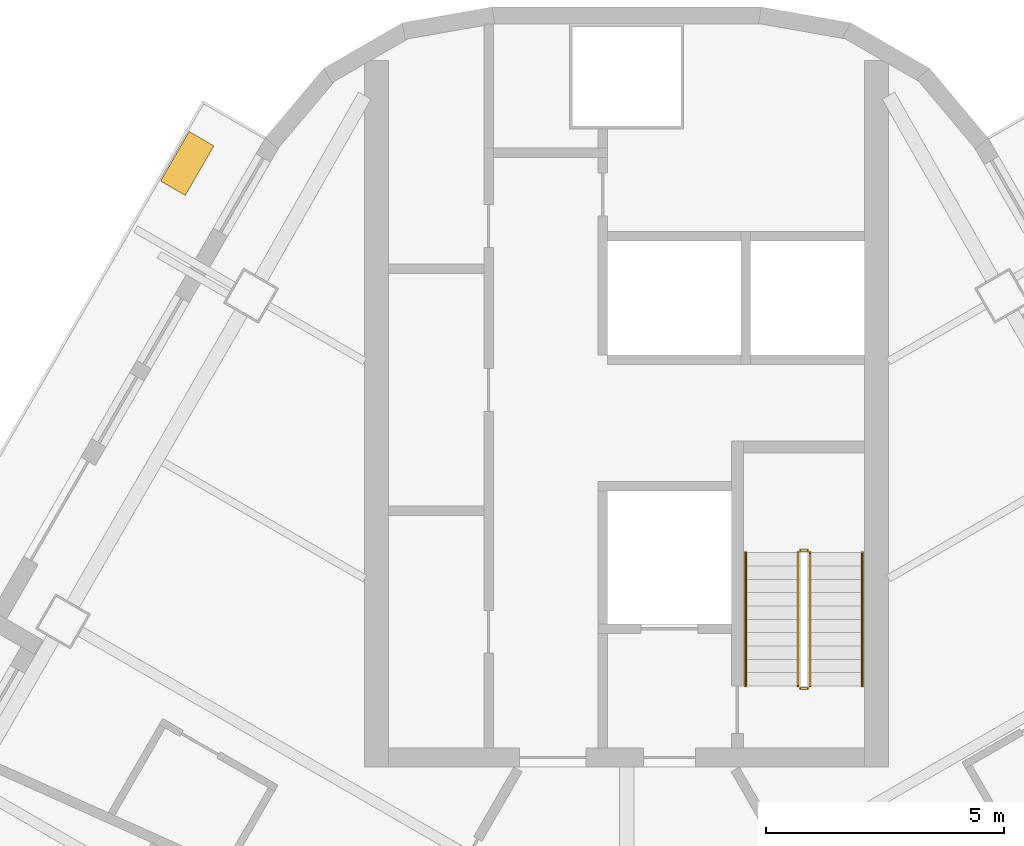
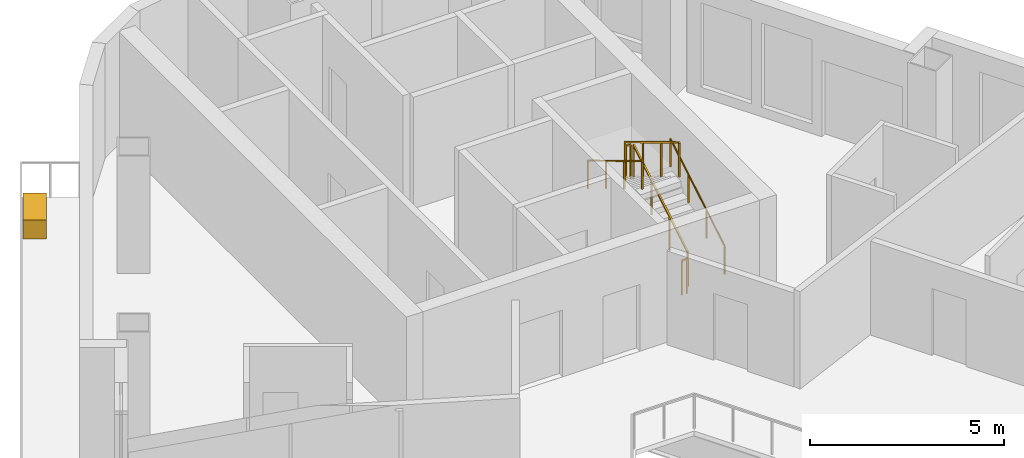
# One storey, part 14 of 14: 6 railings, 1 covering.
"""IFC4 building model written with IfcOpenShell, lengths in metres."""

from ifc_helpers import new_model, si_unit, direction, frame, origin, origin_2d, place, context, subcontext, project, spatial, rectangle, circle, extrude, material, type_object, element, save


model = new_model("IFC4")

# Units and contexts
model_context = context("Model", 3, precision=1e-05, world=origin(), true_north=direction((0.0, 1.0)))
body_context = subcontext(model_context, "Body", "Model", "MODEL_VIEW")
ifc_project = project(units=[si_unit("LENGTHUNIT", "METRE"), si_unit("AREAUNIT", "SQUARE_METRE"), si_unit("VOLUMEUNIT", "CUBIC_METRE"), si_unit("PLANEANGLEUNIT", "RADIAN"), si_unit("MASSUNIT", "GRAM", prefix="KILO")], contexts=[model_context])

# Site, building, storey
site_placement = place(None, origin())
site = spatial("IfcSite", under=ifc_project, at=site_placement, CompositionType="ELEMENT")
building_placement = place(site_placement, origin())
building = spatial("IfcBuilding", under=site, at=building_placement, Name="Apuvela Tower Hotel", CompositionType="ELEMENT")
storey_placement = place(building_placement, frame((0.0, 0.0, 157.699951171875)))
storey = spatial("IfcBuildingStorey", under=building, at=storey_placement, Name="L37", CompositionType="ELEMENT", Elevation=157.699951171875)

# Railings
ifc_material_1 = material(Name="Steel S275 balustrade", Category="steel")
railing_type_1 = type_object("IfcRailingType", Name="COR-GUARD-1100", PredefinedType="GUARDRAIL", material=ifc_material_1)
railing_1_placement = place(storey_placement, frame((3.85009765625, 14.60009765625, 0.168212890625)))
element("IfcRailing", 1, at=railing_1_placement, inside=storey, type_object=railing_type_1, Name="L37 ST1 stair guard 1", PredefinedType="GUARDRAIL", context=body_context, shape_type="SweptSolid", body=[
    extrude(rectangle(XDim=0.048095703125, YDim=0.048095703125, at=origin_2d()), frame((0.0, 0.0, 1.076171875), z_axis=(0.0, 0.857222391501, 0.514946377315), x_axis=(-1.0, 0.0, 0.0)), (0.0, 0.0, 1.0), 3.26611328125),
    extrude(rectangle(XDim=0.0419921875, YDim=0.0419921875, at=origin_2d()), origin(), (0.0, 0.0, 1.0), 1.052001953125),
    extrude(rectangle(XDim=0.0419921875, YDim=0.0419921875, at=origin_2d()), frame((0.0, 0.933349609375, 0.560546875)), (0.0, 0.0, 1.0), 1.052001953125),
    extrude(rectangle(XDim=0.0419921875, YDim=0.0419921875, at=origin_2d()), frame((0.0, 1.866455078125, 1.121337890625)), (0.0, 0.0, 1.0), 1.052001953125),
    extrude(rectangle(XDim=0.0419921875, YDim=0.0419921875, at=origin_2d()), frame((0.0, 2.7998046875, 1.681884765625)), (0.0, 0.0, 1.0), 1.052001953125),
])
railing_2_placement = place(storey_placement, frame((3.800048828125, 17.449951171875, 1.85009765625)))
element("IfcRailing", 2, at=railing_2_placement, inside=storey, type_object=railing_type_1, Name="L37 ST1 stair guard 2", PredefinedType="GUARDRAIL", context=body_context, shape_type="SweptSolid", body=[
    extrude(rectangle(XDim=0.048095703125, YDim=0.048095703125, at=origin_2d()), frame((0.0, 0.0, 1.076171875), z_axis=(-1.0, 0.0, 0.0), x_axis=(0.0, -1.0, 0.0)), (0.0, 0.0, 1.0), 0.150146484375),
    extrude(rectangle(XDim=0.0419921875, YDim=0.0419921875, at=origin_2d()), origin(), (0.0, 0.0, 1.0), 1.052001953125),
    extrude(rectangle(XDim=0.0419921875, YDim=0.0419921875, at=origin_2d()), frame((-0.150146484375, 0.0, 0.0)), (0.0, 0.0, 1.0), 1.052001953125),
])
railing_3_placement = place(storey_placement, frame((3.60009765625, 17.39990234375, 2.018310546875)))
element("IfcRailing", 3, at=railing_3_placement, inside=storey, type_object=railing_type_1, Name="L37 ST1 stair guard 3", PredefinedType="GUARDRAIL", context=body_context, shape_type="SweptSolid", body=[
    extrude(rectangle(XDim=0.048095703125, YDim=0.048095703125, at=origin_2d()), frame((0.0, 0.0, 1.076171875), z_axis=(0.0, -0.857255387014, 0.514891446264), x_axis=(1.0, 0.0, 0.0)), (0.0, 0.0, 1.0), 3.26611328125),
    extrude(rectangle(XDim=0.0419921875, YDim=0.0419921875, at=origin_2d()), origin(), (0.0, 0.0, 1.0), 1.052001953125),
    extrude(rectangle(XDim=0.0419921875, YDim=0.0419921875, at=origin_2d()), frame((0.0, -0.933349609375, 0.560546875)), (0.0, 0.0, 1.0), 1.052001953125),
    extrude(rectangle(XDim=0.0419921875, YDim=0.0419921875, at=origin_2d()), frame((0.0, -1.866455078125, 1.12109375)), (0.0, 0.0, 1.0), 1.052001953125),
    extrude(rectangle(XDim=0.0419921875, YDim=0.0419921875, at=origin_2d()), frame((0.0, -2.7998046875, 1.681640625)), (0.0, 0.0, 1.0), 1.052001953125),
])
railing_4_placement = place(storey_placement, frame((3.800048828125, 14.550048828125, 0.0)))
element("IfcRailing", 4, at=railing_4_placement, inside=storey, type_object=railing_type_1, Name="L37 ST1 stair guard 4", PredefinedType="GUARDRAIL", context=body_context, shape_type="SweptSolid", body=[
    extrude(rectangle(XDim=0.048095703125, YDim=0.048095703125, at=origin_2d()), frame((0.0, 0.0, 1.076171875), z_axis=(-1.0, 0.0, 0.0), x_axis=(0.0, -1.0, 0.0)), (0.0, 0.0, 1.0), 0.150146484375),
    extrude(rectangle(XDim=0.0419921875, YDim=0.0419921875, at=origin_2d()), origin(), (0.0, 0.0, 1.0), 1.052001953125),
    extrude(rectangle(XDim=0.0419921875, YDim=0.0419921875, at=origin_2d()), frame((-0.150146484375, 0.0, 0.0)), (0.0, 0.0, 1.0), 1.052001953125),
])
ifc_material_2 = material(Name="Stainless steel 316 handrail", Category="steel")
railing_type_2 = type_object("IfcRailingType", Name="COR-HANDRAIL-900", PredefinedType="HANDRAIL", material=ifc_material_2)
railing_5_placement = place(storey_placement, frame((4.949951171875, 14.60009765625, 0.168212890625)))
element("IfcRailing", 5, at=railing_5_placement, inside=storey, type_object=railing_type_2, Name="L37 ST1 stair handrail 1", PredefinedType="HANDRAIL", context=body_context, shape_type="SweptSolid", body=[
    extrude(circle(Radius=0.02392578125, at=origin_2d()), frame((0.0, 0.0, 0.8759765625), z_axis=(0.0, 0.857222391501, 0.514946377315), x_axis=(-1.0, 0.0, 0.0)), (0.0, 0.0, 1.0), 3.26611328125),
    extrude(rectangle(XDim=0.0419921875, YDim=0.0419921875, at=origin_2d()), origin(), (0.0, 0.0, 1.0), 0.851806640625),
    extrude(rectangle(XDim=0.0419921875, YDim=0.0419921875, at=origin_2d()), frame((0.0, 0.933349609375, 0.560546875)), (0.0, 0.0, 1.0), 0.851806640625),
    extrude(rectangle(XDim=0.0419921875, YDim=0.0419921875, at=origin_2d()), frame((0.0, 1.866455078125, 1.121337890625)), (0.0, 0.0, 1.0), 0.851806640625),
    extrude(rectangle(XDim=0.0419921875, YDim=0.0419921875, at=origin_2d()), frame((0.0, 2.7998046875, 1.681884765625)), (0.0, 0.0, 1.0), 0.851806640625),
])
railing_6_placement = place(storey_placement, frame((2.5, 17.39990234375, 2.018310546875)))
element("IfcRailing", 6, at=railing_6_placement, inside=storey, type_object=railing_type_2, Name="L37 ST1 stair handrail 2", PredefinedType="HANDRAIL", context=body_context, shape_type="SweptSolid", body=[
    extrude(circle(Radius=0.02392578125, at=origin_2d()), frame((0.0, 0.0, 0.8759765625), z_axis=(0.0, -0.857255387014, 0.514891446264), x_axis=(1.0, 0.0, 0.0)), (0.0, 0.0, 1.0), 3.26611328125),
    extrude(rectangle(XDim=0.0419921875, YDim=0.0419921875, at=origin_2d()), origin(), (0.0, 0.0, 1.0), 0.851806640625),
    extrude(rectangle(XDim=0.0419921875, YDim=0.0419921875, at=origin_2d()), frame((0.0, -0.933349609375, 0.560546875)), (0.0, 0.0, 1.0), 0.851806640625),
    extrude(rectangle(XDim=0.0419921875, YDim=0.0419921875, at=origin_2d()), frame((0.0, -1.866455078125, 1.12109375)), (0.0, 0.0, 1.0), 0.851806640625),
    extrude(rectangle(XDim=0.0419921875, YDim=0.0419921875, at=origin_2d()), frame((0.0, -2.7998046875, 1.681640625)), (0.0, 0.0, 1.0), 0.851806640625),
])

# Covering
ifc_material_3 = material(Name="Planting substrate and soil, planted")
covering_type = type_object("IfcCoveringType", Name="ENV-PLANTER-1200x600", PredefinedType="USERDEFINED", material=ifc_material_3)
covering_placement = place(storey_placement, frame((-9.228515625, 25.57568359375, 0.0), z_axis=(0.0, 0.0, 1.0), x_axis=(-0.5, -0.866025403784, 0.0)))
element("IfcCovering", 7, at=covering_placement, inside=storey, type_object=covering_type, Name="Planter NW4", ObjectType="PLANTER", PredefinedType="USERDEFINED", context=body_context, shape_type="SweptSolid", body=[
    extrude(rectangle(XDim=1.199951171875, YDim=0.60009765625, at=origin_2d()), origin(), (0.0, 0.0, 1.0), 0.60009765625),
])

save(model, "model.ifc")
